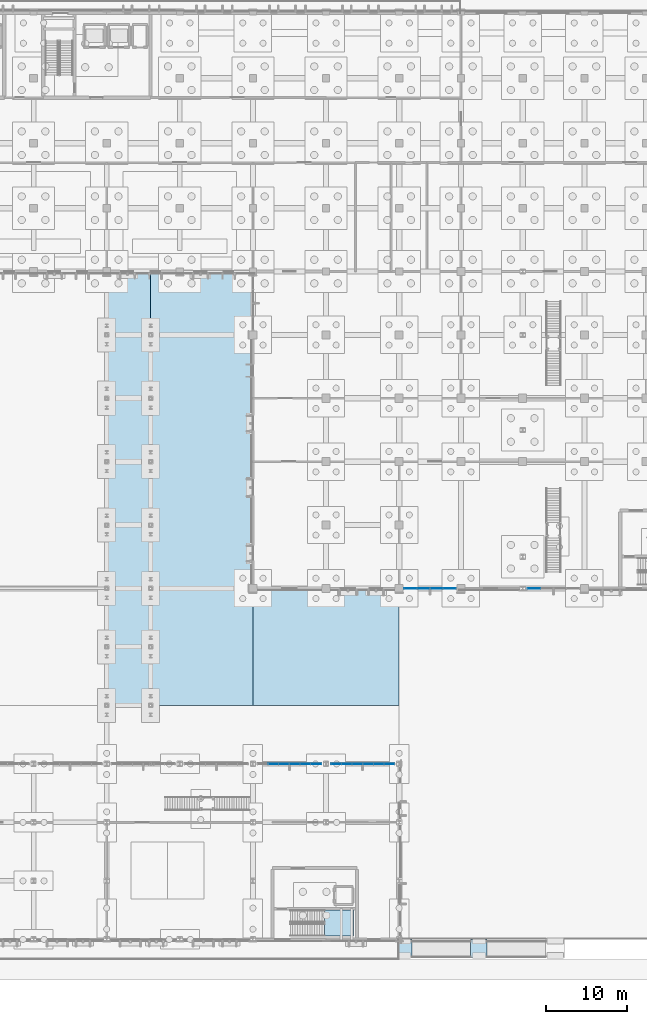
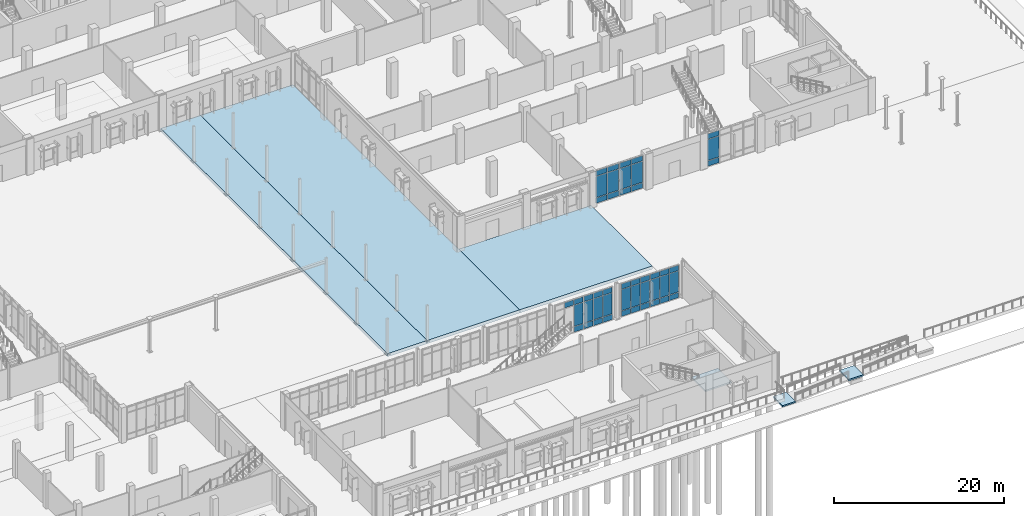
# One storey, part 54 of 94: 46 plates, 6 slabs, 9 elements without a shape of their own.
"""IFC4 building model written with IfcOpenShell, lengths in metres."""

from ifc_helpers import new_model, si_unit, direction, frame, origin, origin_2d, place, context, subcontext, project, spatial, polyline, rectangle, outline, extrude, material, layer, layer_set, type_object, element, aggregate, save


model = new_model("IFC4")

# Units and contexts
model_context = context("Model", 3, precision=1e-05, world=origin(), true_north=direction((0.0, 1.0)))
body_context = subcontext(model_context, "Body", "Model", "MODEL_VIEW")
ifc_project = project(units=[si_unit("LENGTHUNIT", "METRE"), si_unit("AREAUNIT", "SQUARE_METRE"), si_unit("VOLUMEUNIT", "CUBIC_METRE"), si_unit("PLANEANGLEUNIT", "RADIAN"), si_unit("MASSUNIT", "GRAM", prefix="KILO")], contexts=[model_context])

# Site, building, storey
site_placement = place(None, origin())
site = spatial("IfcSite", under=ifc_project, at=site_placement, CompositionType="ELEMENT")
building_placement = place(site_placement, origin())
building = spatial("IfcBuilding", under=site, at=building_placement, Name="Vervanel Yard Central Library", CompositionType="ELEMENT")
storey_placement = place(building_placement, origin())
storey = spatial("IfcBuildingStorey", under=building, at=storey_placement, Name="L00", CompositionType="ELEMENT", Elevation=0.0)

# Stair, slab
ifc_material_1 = material(Name="Concrete C40/50", Category="concrete")
stair_type = type_object("IfcStairType", Name="Protected Core Dog-Leg Stair ST-06", PredefinedType="HALF_TURN_STAIR", material=ifc_material_1)
stair_placement = place(storey_placement, origin())
stair = element("IfcStair", 1, at=stair_placement, inside=storey, type_object=stair_type, Name="L00 CORE-F Protected Exit Stair", PredefinedType="HALF_TURN_STAIR")
ifc_layer_1 = layer(ifc_material_1, 0.199951171875, Category="concrete")
ifc_layer_set_1 = layer_set([ifc_layer_1], Name="Concrete C40/50")
slab_type_1 = type_object("IfcSlabType", Name="Core Stair Concrete Landing Slab 200", PredefinedType="LANDING", material=ifc_layer_set_1)
slab_1_placement = place(storey_placement, frame((0.0, 0.0, 2.35009765625)))
slab_1 = element("IfcSlab", 2, at=slab_1_placement, type_object=slab_type_1, Name="ST-06 landing 1", PredefinedType="LANDING", context=body_context, shape_type="SweptSolid", body=[
    extrude(outline(polyline([(98.800048828125, 0.39990234375), (102.39990234375, 0.39990234375), (102.39990234375, 3.60009765625), (98.800048828125, 3.60009765625), (98.800048828125, 0.39990234375)])), origin(), (0.0, 0.0, 1.0), 0.199951171875),
])
aggregate(stair, [slab_1])

# Ramp, slabs
ramp_type = type_object("IfcRampType", Name="Accessible Plinth Concrete Ramp 2000", PredefinedType="STRAIGHT_RUN_RAMP", material=ifc_material_1)
ramp_placement = place(storey_placement, origin())
ramp = element("IfcRamp", 3, at=ramp_placement, inside=storey, type_object=ramp_type, Name="Southeast Boulevard Accessible Pedestrian Ramp RM-01", PredefinedType="STRAIGHT_RUN_RAMP")
slab_2_placement = place(storey_placement, frame((0.0, 0.0, -1.39990234375)))
slab_2 = element("IfcSlab", 4, at=slab_2_placement, type_object=slab_type_1, Name="RAMP-01 Landing RAMP-01-L0", PredefinedType="LANDING", context=body_context, shape_type="SweptSolid", body=[
    extrude(outline(polyline([(107.800048828125, -2.199951171875), (109.60009765625, -2.199951171875), (109.60009765625, 0.0), (107.800048828125, 0.0), (107.800048828125, -2.199951171875)])), origin(), (0.0, 0.0, 1.0), 0.199951171875),
])
slab_3_placement = place(storey_placement, frame((0.0, 0.0, -0.800048828125)))
slab_3 = element("IfcSlab", 5, at=slab_3_placement, type_object=slab_type_1, Name="RAMP-01 Landing RAMP-01-L1", PredefinedType="LANDING", context=body_context, shape_type="SweptSolid", body=[
    extrude(outline(polyline([(116.800048828125, -2.199951171875), (118.800048828125, -2.199951171875), (118.800048828125, 0.0), (116.800048828125, 0.0), (116.800048828125, -2.199951171875)])), origin(), (0.0, 0.0, 1.0), 0.199951171875),
])
aggregate(ramp, [slab_2, slab_3])

# Curtain wall, plates
ifc_material_2 = material(Name="Thermally broken anodized aluminium 6063-T6", Category="aluminium")
curtain_wall_type_1 = type_object("IfcCurtainWallType", Name="Children's Courtyard Curtain Wall", PredefinedType="NOTDEFINED", material=ifc_material_2)
curtain_wall_1_placement = place(storey_placement, origin())
curtain_wall_1 = element("IfcCurtainWall", 6, at=curtain_wall_1_placement, inside=storey, type_object=curtain_wall_type_1, Name="L00 Children's Courtyard Curtain Wall CWR-L00-162", PredefinedType="NOTDEFINED")
ifc_material_3 = material(Name="Double low-E laminated solar-control glass", Category="glass")
ifc_layer_2 = layer(ifc_material_3, 0.030029296875, Category="glass")
ifc_layer_set_2 = layer_set([ifc_layer_2], Name="Double low-E laminated solar-control glass")
plate_type_1 = type_object("IfcPlateType", Name="Courtyard Clear Low-E Panel 30", PredefinedType="CURTAIN_PANEL", material=ifc_layer_set_2)
plate_1_placement = place(storey_placement, frame((92.530029296875, 21.60009765625, 3.9599609375), z_axis=(0.0, 0.0, 1.0), x_axis=(1.0, 0.0, 0.0)))
plate_1 = element("IfcPlate", 7, at=plate_1_placement, type_object=plate_type_1, Name="CWR-L00-162 Panel B2-3", PredefinedType="CURTAIN_PANEL", context=body_context, shape_type="SweptSolid", body=[
    extrude(rectangle(XDim=1.2333984375, YDim=0.030029296875, at=origin_2d()), origin(), (0.0, 0.0, 1.0), 0.760009765625),
])
plate_2_placement = place(storey_placement, frame((93.8232421875, 21.60009765625, 0.8798828125), z_axis=(0.0, 0.0, 1.0), x_axis=(1.0, 0.0, 0.0)))
plate_2 = element("IfcPlate", 8, at=plate_2_placement, type_object=plate_type_1, Name="CWR-L00-162 Panel B3-2", PredefinedType="CURTAIN_PANEL", context=body_context, shape_type="SweptSolid", body=[
    extrude(rectangle(XDim=1.2333984375, YDim=0.030029296875, at=origin_2d()), origin(), (0.0, 0.0, 1.0), 3.02001953125),
])
plate_3_placement = place(storey_placement, frame((93.8232421875, 21.60009765625, 3.9599609375), z_axis=(0.0, 0.0, 1.0), x_axis=(1.0, 0.0, 0.0)))
plate_3 = element("IfcPlate", 9, at=plate_3_placement, type_object=plate_type_1, Name="CWR-L00-162 Panel B3-3", PredefinedType="CURTAIN_PANEL", context=body_context, shape_type="SweptSolid", body=[
    extrude(rectangle(XDim=1.2333984375, YDim=0.030029296875, at=origin_2d()), origin(), (0.0, 0.0, 1.0), 0.760009765625),
])

curtain_wall_2_placement = place(storey_placement, origin())
curtain_wall_2 = element("IfcCurtainWall", 10, at=curtain_wall_2_placement, inside=storey, type_object=curtain_wall_type_1, Name="L00 Children's Courtyard Curtain Wall CWR-L00-163", PredefinedType="NOTDEFINED")
plate_4_placement = place(storey_placement, frame((95.1767578125, 21.60009765625, 0.8798828125), z_axis=(0.0, 0.0, 1.0), x_axis=(1.0, 0.0, 0.0)))
plate_4 = element("IfcPlate", 11, at=plate_4_placement, type_object=plate_type_1, Name="CWR-L00-163 Panel B1-2", PredefinedType="CURTAIN_PANEL", context=body_context, shape_type="SweptSolid", body=[
    extrude(rectangle(XDim=1.2333984375, YDim=0.030029296875, at=origin_2d()), origin(), (0.0, 0.0, 1.0), 3.02001953125),
])
plate_5_placement = place(storey_placement, frame((95.1767578125, 21.60009765625, 3.9599609375), z_axis=(0.0, 0.0, 1.0), x_axis=(1.0, 0.0, 0.0)))
plate_5 = element("IfcPlate", 12, at=plate_5_placement, type_object=plate_type_1, Name="CWR-L00-163 Panel B1-3", PredefinedType="CURTAIN_PANEL", context=body_context, shape_type="SweptSolid", body=[
    extrude(rectangle(XDim=1.2333984375, YDim=0.030029296875, at=origin_2d()), origin(), (0.0, 0.0, 1.0), 0.760009765625),
])
plate_6_placement = place(storey_placement, frame((96.469970703125, 21.60009765625, 0.8798828125), z_axis=(0.0, 0.0, 1.0), x_axis=(1.0, 0.0, 0.0)))
plate_6 = element("IfcPlate", 13, at=plate_6_placement, type_object=plate_type_1, Name="CWR-L00-163 Panel B2-2", PredefinedType="CURTAIN_PANEL", context=body_context, shape_type="SweptSolid", body=[
    extrude(rectangle(XDim=1.2333984375, YDim=0.030029296875, at=origin_2d()), origin(), (0.0, 0.0, 1.0), 3.02001953125),
])
plate_7_placement = place(storey_placement, frame((96.469970703125, 21.60009765625, 3.9599609375), z_axis=(0.0, 0.0, 1.0), x_axis=(1.0, 0.0, 0.0)))
plate_7 = element("IfcPlate", 14, at=plate_7_placement, type_object=plate_type_1, Name="CWR-L00-163 Panel B2-3", PredefinedType="CURTAIN_PANEL", context=body_context, shape_type="SweptSolid", body=[
    extrude(rectangle(XDim=1.2333984375, YDim=0.030029296875, at=origin_2d()), origin(), (0.0, 0.0, 1.0), 0.760009765625),
])
plate_8_placement = place(storey_placement, frame((97.763427734375, 21.60009765625, 0.8798828125), z_axis=(0.0, 0.0, 1.0), x_axis=(1.0, 0.0, 0.0)))
plate_8 = element("IfcPlate", 15, at=plate_8_placement, type_object=plate_type_1, Name="CWR-L00-163 Panel B3-2", PredefinedType="CURTAIN_PANEL", context=body_context, shape_type="SweptSolid", body=[
    extrude(rectangle(XDim=1.2333984375, YDim=0.030029296875, at=origin_2d()), origin(), (0.0, 0.0, 1.0), 3.02001953125),
])
plate_9_placement = place(storey_placement, frame((97.763427734375, 21.60009765625, 3.9599609375), z_axis=(0.0, 0.0, 1.0), x_axis=(1.0, 0.0, 0.0)))
plate_9 = element("IfcPlate", 16, at=plate_9_placement, type_object=plate_type_1, Name="CWR-L00-163 Panel B3-3", PredefinedType="CURTAIN_PANEL", context=body_context, shape_type="SweptSolid", body=[
    extrude(rectangle(XDim=1.2333984375, YDim=0.030029296875, at=origin_2d()), origin(), (0.0, 0.0, 1.0), 0.760009765625),
])

curtain_wall_3_placement = place(storey_placement, origin())
curtain_wall_3 = element("IfcCurtainWall", 17, at=curtain_wall_3_placement, inside=storey, type_object=curtain_wall_type_1, Name="L00 Children's Courtyard Curtain Wall CWR-L00-164", PredefinedType="NOTDEFINED")
plate_10_placement = place(storey_placement, frame((100.236572265625, 21.60009765625, 0.8798828125), z_axis=(0.0, 0.0, 1.0), x_axis=(1.0, 0.0, 0.0)))
plate_10 = element("IfcPlate", 18, at=plate_10_placement, type_object=plate_type_1, Name="CWR-L00-164 Panel B1-2", PredefinedType="CURTAIN_PANEL", context=body_context, shape_type="SweptSolid", body=[
    extrude(rectangle(XDim=1.2333984375, YDim=0.030029296875, at=origin_2d()), origin(), (0.0, 0.0, 1.0), 3.02001953125),
])
plate_11_placement = place(storey_placement, frame((100.236572265625, 21.60009765625, 3.9599609375), z_axis=(0.0, 0.0, 1.0), x_axis=(1.0, 0.0, 0.0)))
plate_11 = element("IfcPlate", 19, at=plate_11_placement, type_object=plate_type_1, Name="CWR-L00-164 Panel B1-3", PredefinedType="CURTAIN_PANEL", context=body_context, shape_type="SweptSolid", body=[
    extrude(rectangle(XDim=1.2333984375, YDim=0.030029296875, at=origin_2d()), origin(), (0.0, 0.0, 1.0), 0.760009765625),
])
plate_12_placement = place(storey_placement, frame((101.530029296875, 21.60009765625, 0.8798828125), z_axis=(0.0, 0.0, 1.0), x_axis=(1.0, 0.0, 0.0)))
plate_12 = element("IfcPlate", 20, at=plate_12_placement, type_object=plate_type_1, Name="CWR-L00-164 Panel B2-2", PredefinedType="CURTAIN_PANEL", context=body_context, shape_type="SweptSolid", body=[
    extrude(rectangle(XDim=1.2333984375, YDim=0.030029296875, at=origin_2d()), origin(), (0.0, 0.0, 1.0), 3.02001953125),
])
plate_13_placement = place(storey_placement, frame((101.530029296875, 21.60009765625, 3.9599609375), z_axis=(0.0, 0.0, 1.0), x_axis=(1.0, 0.0, 0.0)))
plate_13 = element("IfcPlate", 21, at=plate_13_placement, type_object=plate_type_1, Name="CWR-L00-164 Panel B2-3", PredefinedType="CURTAIN_PANEL", context=body_context, shape_type="SweptSolid", body=[
    extrude(rectangle(XDim=1.2333984375, YDim=0.030029296875, at=origin_2d()), origin(), (0.0, 0.0, 1.0), 0.760009765625),
])
plate_14_placement = place(storey_placement, frame((102.8232421875, 21.60009765625, 0.8798828125), z_axis=(0.0, 0.0, 1.0), x_axis=(1.0, 0.0, 0.0)))
plate_14 = element("IfcPlate", 22, at=plate_14_placement, type_object=plate_type_1, Name="CWR-L00-164 Panel B3-2", PredefinedType="CURTAIN_PANEL", context=body_context, shape_type="SweptSolid", body=[
    extrude(rectangle(XDim=1.2333984375, YDim=0.030029296875, at=origin_2d()), origin(), (0.0, 0.0, 1.0), 3.02001953125),
])
plate_15_placement = place(storey_placement, frame((102.8232421875, 21.60009765625, 3.9599609375), z_axis=(0.0, 0.0, 1.0), x_axis=(1.0, 0.0, 0.0)))
plate_15 = element("IfcPlate", 23, at=plate_15_placement, type_object=plate_type_1, Name="CWR-L00-164 Panel B3-3", PredefinedType="CURTAIN_PANEL", context=body_context, shape_type="SweptSolid", body=[
    extrude(rectangle(XDim=1.2333984375, YDim=0.030029296875, at=origin_2d()), origin(), (0.0, 0.0, 1.0), 0.760009765625),
])

curtain_wall_4_placement = place(storey_placement, origin())
curtain_wall_4 = element("IfcCurtainWall", 24, at=curtain_wall_4_placement, inside=storey, type_object=curtain_wall_type_1, Name="L00 Children's Courtyard Curtain Wall CWR-L00-165", PredefinedType="NOTDEFINED")
plate_16_placement = place(storey_placement, frame((104.1767578125, 21.60009765625, 0.8798828125), z_axis=(0.0, 0.0, 1.0), x_axis=(1.0, 0.0, 0.0)))
plate_16 = element("IfcPlate", 25, at=plate_16_placement, type_object=plate_type_1, Name="CWR-L00-165 Panel B1-2", PredefinedType="CURTAIN_PANEL", context=body_context, shape_type="SweptSolid", body=[
    extrude(rectangle(XDim=1.2333984375, YDim=0.030029296875, at=origin_2d()), origin(), (0.0, 0.0, 1.0), 3.02001953125),
])
plate_17_placement = place(storey_placement, frame((104.1767578125, 21.60009765625, 3.9599609375), z_axis=(0.0, 0.0, 1.0), x_axis=(1.0, 0.0, 0.0)))
plate_17 = element("IfcPlate", 26, at=plate_17_placement, type_object=plate_type_1, Name="CWR-L00-165 Panel B1-3", PredefinedType="CURTAIN_PANEL", context=body_context, shape_type="SweptSolid", body=[
    extrude(rectangle(XDim=1.2333984375, YDim=0.030029296875, at=origin_2d()), origin(), (0.0, 0.0, 1.0), 0.760009765625),
])
plate_18_placement = place(storey_placement, frame((105.469970703125, 21.60009765625, 0.8798828125), z_axis=(0.0, 0.0, 1.0), x_axis=(1.0, 0.0, 0.0)))
plate_18 = element("IfcPlate", 27, at=plate_18_placement, type_object=plate_type_1, Name="CWR-L00-165 Panel B2-2", PredefinedType="CURTAIN_PANEL", context=body_context, shape_type="SweptSolid", body=[
    extrude(rectangle(XDim=1.2333984375, YDim=0.030029296875, at=origin_2d()), origin(), (0.0, 0.0, 1.0), 3.02001953125),
])
plate_19_placement = place(storey_placement, frame((105.469970703125, 21.60009765625, 3.9599609375), z_axis=(0.0, 0.0, 1.0), x_axis=(1.0, 0.0, 0.0)))
plate_19 = element("IfcPlate", 28, at=plate_19_placement, type_object=plate_type_1, Name="CWR-L00-165 Panel B2-3", PredefinedType="CURTAIN_PANEL", context=body_context, shape_type="SweptSolid", body=[
    extrude(rectangle(XDim=1.2333984375, YDim=0.030029296875, at=origin_2d()), origin(), (0.0, 0.0, 1.0), 0.760009765625),
])
plate_20_placement = place(storey_placement, frame((106.763427734375, 21.60009765625, 0.8798828125), z_axis=(0.0, 0.0, 1.0), x_axis=(1.0, 0.0, 0.0)))
plate_20 = element("IfcPlate", 29, at=plate_20_placement, type_object=plate_type_1, Name="CWR-L00-165 Panel B3-2", PredefinedType="CURTAIN_PANEL", context=body_context, shape_type="SweptSolid", body=[
    extrude(rectangle(XDim=1.2333984375, YDim=0.030029296875, at=origin_2d()), origin(), (0.0, 0.0, 1.0), 3.02001953125),
])
plate_21_placement = place(storey_placement, frame((106.763427734375, 21.60009765625, 3.9599609375), z_axis=(0.0, 0.0, 1.0), x_axis=(1.0, 0.0, 0.0)))
plate_21 = element("IfcPlate", 30, at=plate_21_placement, type_object=plate_type_1, Name="CWR-L00-165 Panel B3-3", PredefinedType="CURTAIN_PANEL", context=body_context, shape_type="SweptSolid", body=[
    extrude(rectangle(XDim=1.2333984375, YDim=0.030029296875, at=origin_2d()), origin(), (0.0, 0.0, 1.0), 0.760009765625),
])

# Plate
ifc_material_4 = material(Name="Insulated bronze aluminium spandrel panel", Category="aluminium")
ifc_layer_3 = layer(ifc_material_4, 0.080078125, Category="aluminium")
ifc_layer_set_3 = layer_set([ifc_layer_3], Name="Insulated bronze aluminium spandrel panel")
plate_type_2 = type_object("IfcPlateType", Name="Insulated Bronze Spandrel Panel 80", PredefinedType="CURTAIN_PANEL", material=ifc_layer_set_3)
plate_22_placement = place(storey_placement, frame((93.8232421875, 21.60009765625, 0.06005859375), z_axis=(0.0, 0.0, 1.0), x_axis=(1.0, 0.0, 0.0)))
plate_22 = element("IfcPlate", 31, at=plate_22_placement, type_object=plate_type_2, Name="CWR-L00-162 Panel B3-1", PredefinedType="CURTAIN_PANEL", context=body_context, shape_type="SweptSolid", body=[
    extrude(rectangle(XDim=1.2333984375, YDim=0.080078125, at=origin_2d()), origin(), (0.0, 0.0, 1.0), 0.760009765625),
])

aggregate(curtain_wall_1, [plate_1, plate_22, plate_2, plate_3])

plate_23_placement = place(storey_placement, frame((95.1767578125, 21.60009765625, 0.06005859375), z_axis=(0.0, 0.0, 1.0), x_axis=(1.0, 0.0, 0.0)))
plate_23 = element("IfcPlate", 32, at=plate_23_placement, type_object=plate_type_2, Name="CWR-L00-163 Panel B1-1", PredefinedType="CURTAIN_PANEL", context=body_context, shape_type="SweptSolid", body=[
    extrude(rectangle(XDim=1.2333984375, YDim=0.080078125, at=origin_2d()), origin(), (0.0, 0.0, 1.0), 0.760009765625),
])

plate_24_placement = place(storey_placement, frame((96.469970703125, 21.60009765625, 0.06005859375), z_axis=(0.0, 0.0, 1.0), x_axis=(1.0, 0.0, 0.0)))
plate_24 = element("IfcPlate", 33, at=plate_24_placement, type_object=plate_type_2, Name="CWR-L00-163 Panel B2-1", PredefinedType="CURTAIN_PANEL", context=body_context, shape_type="SweptSolid", body=[
    extrude(rectangle(XDim=1.2333984375, YDim=0.080078125, at=origin_2d()), origin(), (0.0, 0.0, 1.0), 0.760009765625),
])

plate_25_placement = place(storey_placement, frame((97.763427734375, 21.60009765625, 0.06005859375), z_axis=(0.0, 0.0, 1.0), x_axis=(1.0, 0.0, 0.0)))
plate_25 = element("IfcPlate", 34, at=plate_25_placement, type_object=plate_type_2, Name="CWR-L00-163 Panel B3-1", PredefinedType="CURTAIN_PANEL", context=body_context, shape_type="SweptSolid", body=[
    extrude(rectangle(XDim=1.2333984375, YDim=0.080078125, at=origin_2d()), origin(), (0.0, 0.0, 1.0), 0.760009765625),
])

aggregate(curtain_wall_2, [plate_23, plate_4, plate_5, plate_24, plate_6, plate_7, plate_25, plate_8, plate_9])

plate_26_placement = place(storey_placement, frame((100.236572265625, 21.60009765625, 0.06005859375), z_axis=(0.0, 0.0, 1.0), x_axis=(1.0, 0.0, 0.0)))
plate_26 = element("IfcPlate", 35, at=plate_26_placement, type_object=plate_type_2, Name="CWR-L00-164 Panel B1-1", PredefinedType="CURTAIN_PANEL", context=body_context, shape_type="SweptSolid", body=[
    extrude(rectangle(XDim=1.2333984375, YDim=0.080078125, at=origin_2d()), origin(), (0.0, 0.0, 1.0), 0.760009765625),
])

plate_27_placement = place(storey_placement, frame((101.530029296875, 21.60009765625, 0.06005859375), z_axis=(0.0, 0.0, 1.0), x_axis=(1.0, 0.0, 0.0)))
plate_27 = element("IfcPlate", 36, at=plate_27_placement, type_object=plate_type_2, Name="CWR-L00-164 Panel B2-1", PredefinedType="CURTAIN_PANEL", context=body_context, shape_type="SweptSolid", body=[
    extrude(rectangle(XDim=1.2333984375, YDim=0.080078125, at=origin_2d()), origin(), (0.0, 0.0, 1.0), 0.760009765625),
])

plate_28_placement = place(storey_placement, frame((102.8232421875, 21.60009765625, 0.06005859375), z_axis=(0.0, 0.0, 1.0), x_axis=(1.0, 0.0, 0.0)))
plate_28 = element("IfcPlate", 37, at=plate_28_placement, type_object=plate_type_2, Name="CWR-L00-164 Panel B3-1", PredefinedType="CURTAIN_PANEL", context=body_context, shape_type="SweptSolid", body=[
    extrude(rectangle(XDim=1.2333984375, YDim=0.080078125, at=origin_2d()), origin(), (0.0, 0.0, 1.0), 0.760009765625),
])

aggregate(curtain_wall_3, [plate_26, plate_10, plate_11, plate_27, plate_12, plate_13, plate_28, plate_14, plate_15])

plate_29_placement = place(storey_placement, frame((104.1767578125, 21.60009765625, 0.06005859375), z_axis=(0.0, 0.0, 1.0), x_axis=(1.0, 0.0, 0.0)))
plate_29 = element("IfcPlate", 38, at=plate_29_placement, type_object=plate_type_2, Name="CWR-L00-165 Panel B1-1", PredefinedType="CURTAIN_PANEL", context=body_context, shape_type="SweptSolid", body=[
    extrude(rectangle(XDim=1.2333984375, YDim=0.080078125, at=origin_2d()), origin(), (0.0, 0.0, 1.0), 0.760009765625),
])

plate_30_placement = place(storey_placement, frame((105.469970703125, 21.60009765625, 0.06005859375), z_axis=(0.0, 0.0, 1.0), x_axis=(1.0, 0.0, 0.0)))
plate_30 = element("IfcPlate", 39, at=plate_30_placement, type_object=plate_type_2, Name="CWR-L00-165 Panel B2-1", PredefinedType="CURTAIN_PANEL", context=body_context, shape_type="SweptSolid", body=[
    extrude(rectangle(XDim=1.2333984375, YDim=0.080078125, at=origin_2d()), origin(), (0.0, 0.0, 1.0), 0.760009765625),
])

plate_31_placement = place(storey_placement, frame((106.763427734375, 21.60009765625, 0.06005859375), z_axis=(0.0, 0.0, 1.0), x_axis=(1.0, 0.0, 0.0)))
plate_31 = element("IfcPlate", 40, at=plate_31_placement, type_object=plate_type_2, Name="CWR-L00-165 Panel B3-1", PredefinedType="CURTAIN_PANEL", context=body_context, shape_type="SweptSolid", body=[
    extrude(rectangle(XDim=1.2333984375, YDim=0.080078125, at=origin_2d()), origin(), (0.0, 0.0, 1.0), 0.760009765625),
])

aggregate(curtain_wall_4, [plate_29, plate_16, plate_17, plate_30, plate_18, plate_19, plate_31, plate_20, plate_21])

# Curtain wall, plates
curtain_wall_type_2 = type_object("IfcCurtainWallType", Name="Reading Hall Full-Height Curtain Wall", PredefinedType="NOTDEFINED", material=ifc_material_2)
curtain_wall_5_placement = place(storey_placement, origin())
curtain_wall_5 = element("IfcCurtainWall", 41, at=curtain_wall_5_placement, inside=storey, type_object=curtain_wall_type_2, Name="L00 Reading Hall Full-Height Curtain Wall CWR-L00-056", PredefinedType="NOTDEFINED")
ifc_layer_4 = layer(ifc_material_3, 0.0380859375, Category="glass")
ifc_layer_set_4 = layer_set([ifc_layer_4], Name="Double low-E laminated solar-control glass")
plate_type_3 = type_object("IfcPlateType", Name="Reading Hall Acoustic Vision Panel 38", PredefinedType="CURTAIN_PANEL", material=ifc_layer_set_4)
plate_32_placement = place(storey_placement, frame((109.387451171875, 43.199951171875, 0.884765625), z_axis=(0.0, 0.0, 1.0), x_axis=(1.0, 0.0, 0.0)))
plate_32 = element("IfcPlate", 42, at=plate_32_placement, type_object=plate_type_3, Name="CWR-L00-056 Panel B1-2", PredefinedType="CURTAIN_PANEL", context=body_context, shape_type="SweptSolid", body=[
    extrude(rectangle(XDim=1.514892578125, YDim=0.0380859375, at=origin_2d()), origin(), (0.0, 0.0, 1.0), 3.010009765625),
])
plate_33_placement = place(storey_placement, frame((109.387451171875, 43.199951171875, 3.96484375), z_axis=(0.0, 0.0, 1.0), x_axis=(1.0, 0.0, 0.0)))
plate_33 = element("IfcPlate", 43, at=plate_33_placement, type_object=plate_type_3, Name="CWR-L00-056 Panel B1-3", PredefinedType="CURTAIN_PANEL", context=body_context, shape_type="SweptSolid", body=[
    extrude(rectangle(XDim=1.514892578125, YDim=0.0380859375, at=origin_2d()), origin(), (0.0, 0.0, 1.0), 0.7451171875),
])
plate_34_placement = place(storey_placement, frame((110.972412109375, 43.199951171875, 0.884765625), z_axis=(0.0, 0.0, 1.0), x_axis=(1.0, 0.0, 0.0)))
plate_34 = element("IfcPlate", 44, at=plate_34_placement, type_object=plate_type_3, Name="CWR-L00-056 Panel B2-2", PredefinedType="CURTAIN_PANEL", context=body_context, shape_type="SweptSolid", body=[
    extrude(rectangle(XDim=1.514892578125, YDim=0.0380859375, at=origin_2d()), origin(), (0.0, 0.0, 1.0), 3.010009765625),
])
plate_35_placement = place(storey_placement, frame((110.972412109375, 43.199951171875, 3.96484375), z_axis=(0.0, 0.0, 1.0), x_axis=(1.0, 0.0, 0.0)))
plate_35 = element("IfcPlate", 45, at=plate_35_placement, type_object=plate_type_3, Name="CWR-L00-056 Panel B2-3", PredefinedType="CURTAIN_PANEL", context=body_context, shape_type="SweptSolid", body=[
    extrude(rectangle(XDim=1.514892578125, YDim=0.0380859375, at=origin_2d()), origin(), (0.0, 0.0, 1.0), 0.7451171875),
])

curtain_wall_6_placement = place(storey_placement, origin())
curtain_wall_6 = element("IfcCurtainWall", 46, at=curtain_wall_6_placement, inside=storey, type_object=curtain_wall_type_2, Name="L00 Reading Hall Full-Height Curtain Wall CWR-L00-057", PredefinedType="NOTDEFINED")
plate_36_placement = place(storey_placement, frame((112.62744140625, 43.199951171875, 0.884765625), z_axis=(0.0, 0.0, 1.0), x_axis=(1.0, 0.0, 0.0)))
plate_36 = element("IfcPlate", 47, at=plate_36_placement, type_object=plate_type_3, Name="CWR-L00-057 Panel B1-2", PredefinedType="CURTAIN_PANEL", context=body_context, shape_type="SweptSolid", body=[
    extrude(rectangle(XDim=1.514892578125, YDim=0.0380859375, at=origin_2d()), origin(), (0.0, 0.0, 1.0), 3.010009765625),
])
plate_37_placement = place(storey_placement, frame((112.62744140625, 43.199951171875, 3.96484375), z_axis=(0.0, 0.0, 1.0), x_axis=(1.0, 0.0, 0.0)))
plate_37 = element("IfcPlate", 48, at=plate_37_placement, type_object=plate_type_3, Name="CWR-L00-057 Panel B1-3", PredefinedType="CURTAIN_PANEL", context=body_context, shape_type="SweptSolid", body=[
    extrude(rectangle(XDim=1.514892578125, YDim=0.0380859375, at=origin_2d()), origin(), (0.0, 0.0, 1.0), 0.7451171875),
])
plate_38_placement = place(storey_placement, frame((114.21240234375, 43.199951171875, 0.884765625), z_axis=(0.0, 0.0, 1.0), x_axis=(1.0, 0.0, 0.0)))
plate_38 = element("IfcPlate", 49, at=plate_38_placement, type_object=plate_type_3, Name="CWR-L00-057 Panel B2-2", PredefinedType="CURTAIN_PANEL", context=body_context, shape_type="SweptSolid", body=[
    extrude(rectangle(XDim=1.514892578125, YDim=0.0380859375, at=origin_2d()), origin(), (0.0, 0.0, 1.0), 3.010009765625),
])
plate_39_placement = place(storey_placement, frame((114.21240234375, 43.199951171875, 3.96484375), z_axis=(0.0, 0.0, 1.0), x_axis=(1.0, 0.0, 0.0)))
plate_39 = element("IfcPlate", 50, at=plate_39_placement, type_object=plate_type_3, Name="CWR-L00-057 Panel B2-3", PredefinedType="CURTAIN_PANEL", context=body_context, shape_type="SweptSolid", body=[
    extrude(rectangle(XDim=1.514892578125, YDim=0.0380859375, at=origin_2d()), origin(), (0.0, 0.0, 1.0), 0.7451171875),
])

curtain_wall_7_placement = place(storey_placement, origin())
curtain_wall_7 = element("IfcCurtainWall", 51, at=curtain_wall_7_placement, inside=storey, type_object=curtain_wall_type_2, Name="L00 Reading Hall Full-Height Curtain Wall CWR-L00-058", PredefinedType="NOTDEFINED")
plate_40_placement = place(storey_placement, frame((124.58740234375, 43.199951171875, 0.884765625), z_axis=(0.0, 0.0, 1.0), x_axis=(1.0, 0.0, 0.0)))
plate_40 = element("IfcPlate", 52, at=plate_40_placement, type_object=plate_type_3, Name="CWR-L00-058 Panel B1-2", PredefinedType="CURTAIN_PANEL", context=body_context, shape_type="SweptSolid", body=[
    extrude(rectangle(XDim=1.514892578125, YDim=0.0380859375, at=origin_2d()), origin(), (0.0, 0.0, 1.0), 3.010009765625),
])
plate_41_placement = place(storey_placement, frame((124.58740234375, 43.199951171875, 3.96484375), z_axis=(0.0, 0.0, 1.0), x_axis=(1.0, 0.0, 0.0)))
plate_41 = element("IfcPlate", 53, at=plate_41_placement, type_object=plate_type_3, Name="CWR-L00-058 Panel B1-3", PredefinedType="CURTAIN_PANEL", context=body_context, shape_type="SweptSolid", body=[
    extrude(rectangle(XDim=1.514892578125, YDim=0.0380859375, at=origin_2d()), origin(), (0.0, 0.0, 1.0), 0.7451171875),
])

# Plate
ifc_layer_5 = layer(ifc_material_4, 0.094970703125, Category="aluminium")
ifc_layer_set_5 = layer_set([ifc_layer_5], Name="Insulated bronze aluminium spandrel panel")
plate_type_4 = type_object("IfcPlateType", Name="Reading Hall Shadow-Box Spandrel 95", PredefinedType="CURTAIN_PANEL", material=ifc_layer_set_5)
plate_42_placement = place(storey_placement, frame((109.387451171875, 43.199951171875, 0.06982421875), z_axis=(0.0, 0.0, 1.0), x_axis=(1.0, 0.0, 0.0)))
plate_42 = element("IfcPlate", 54, at=plate_42_placement, type_object=plate_type_4, Name="CWR-L00-056 Panel B1-1", PredefinedType="CURTAIN_PANEL", context=body_context, shape_type="SweptSolid", body=[
    extrude(rectangle(XDim=1.514892578125, YDim=0.094970703125, at=origin_2d()), origin(), (0.0, 0.0, 1.0), 0.7451171875),
])

plate_43_placement = place(storey_placement, frame((110.972412109375, 43.199951171875, 0.06982421875), z_axis=(0.0, 0.0, 1.0), x_axis=(1.0, 0.0, 0.0)))
plate_43 = element("IfcPlate", 55, at=plate_43_placement, type_object=plate_type_4, Name="CWR-L00-056 Panel B2-1", PredefinedType="CURTAIN_PANEL", context=body_context, shape_type="SweptSolid", body=[
    extrude(rectangle(XDim=1.514892578125, YDim=0.094970703125, at=origin_2d()), origin(), (0.0, 0.0, 1.0), 0.7451171875),
])

aggregate(curtain_wall_5, [plate_42, plate_32, plate_33, plate_43, plate_34, plate_35])

plate_44_placement = place(storey_placement, frame((112.62744140625, 43.199951171875, 0.06982421875), z_axis=(0.0, 0.0, 1.0), x_axis=(1.0, 0.0, 0.0)))
plate_44 = element("IfcPlate", 56, at=plate_44_placement, type_object=plate_type_4, Name="CWR-L00-057 Panel B1-1", PredefinedType="CURTAIN_PANEL", context=body_context, shape_type="SweptSolid", body=[
    extrude(rectangle(XDim=1.514892578125, YDim=0.094970703125, at=origin_2d()), origin(), (0.0, 0.0, 1.0), 0.7451171875),
])

plate_45_placement = place(storey_placement, frame((114.21240234375, 43.199951171875, 0.06982421875), z_axis=(0.0, 0.0, 1.0), x_axis=(1.0, 0.0, 0.0)))
plate_45 = element("IfcPlate", 57, at=plate_45_placement, type_object=plate_type_4, Name="CWR-L00-057 Panel B2-1", PredefinedType="CURTAIN_PANEL", context=body_context, shape_type="SweptSolid", body=[
    extrude(rectangle(XDim=1.514892578125, YDim=0.094970703125, at=origin_2d()), origin(), (0.0, 0.0, 1.0), 0.7451171875),
])

aggregate(curtain_wall_6, [plate_44, plate_36, plate_37, plate_45, plate_38, plate_39])

plate_46_placement = place(storey_placement, frame((124.58740234375, 43.199951171875, 0.06982421875), z_axis=(0.0, 0.0, 1.0), x_axis=(1.0, 0.0, 0.0)))
plate_46 = element("IfcPlate", 58, at=plate_46_placement, type_object=plate_type_4, Name="CWR-L00-058 Panel B1-1", PredefinedType="CURTAIN_PANEL", context=body_context, shape_type="SweptSolid", body=[
    extrude(rectangle(XDim=1.514892578125, YDim=0.094970703125, at=origin_2d()), origin(), (0.0, 0.0, 1.0), 0.7451171875),
])

aggregate(curtain_wall_7, [plate_46, plate_40, plate_41])

# Slabs
ifc_layer_6 = layer(ifc_material_1, 0.449951171875, Category="concrete")
ifc_layer_set_6 = layer_set([ifc_layer_6], Name="Concrete C40/50")
slab_type_2 = type_object("IfcSlabType", Name="Switchyard Plinth Deck Slab 450", PredefinedType="FLOOR", material=ifc_layer_set_6)
slab_4_placement = place(storey_placement, frame((0.0, 0.0, -0.449951171875)))
element("IfcSlab", 59, at=slab_4_placement, inside=storey, type_object=slab_type_2, Name="Switchyard Under-Bridge Plinth Deck", PredefinedType="FLOOR", context=body_context, shape_type="SweptSolid", body=[
    extrude(outline(polyline([(72.0, 28.800048828125), (77.39990234375, 28.800048828125), (77.39990234375, 82.199951171875), (72.0, 82.199951171875), (72.0, 28.800048828125)])), origin(), (0.0, 0.0, 1.0), 0.449951171875),
])
slab_5_placement = place(storey_placement, frame((0.0, 0.0, -0.449951171875)))
element("IfcSlab", 60, at=slab_5_placement, inside=storey, type_object=slab_type_2, Name="Switchyard Reading Court East Deck", PredefinedType="FLOOR", context=body_context, shape_type="SweptSolid", body=[
    extrude(outline(polyline([(77.39990234375, 28.800048828125), (90.0, 28.800048828125), (90.0, 82.199951171875), (77.39990234375, 82.199951171875), (77.39990234375, 28.800048828125)])), origin(), (0.0, 0.0, 1.0), 0.449951171875),
])
slab_6_placement = place(storey_placement, frame((0.0, 0.0, -0.449951171875)))
element("IfcSlab", 61, at=slab_6_placement, inside=storey, type_object=slab_type_2, Name="Switchyard Southeast Forum Plinth Deck", PredefinedType="FLOOR", context=body_context, shape_type="SweptSolid", body=[
    extrude(outline(polyline([(90.0, 28.800048828125), (108.0, 28.800048828125), (108.0, 43.199951171875), (90.0, 43.199951171875), (90.0, 28.800048828125)])), origin(), (0.0, 0.0, 1.0), 0.449951171875),
])

save(model, "model.ifc")
